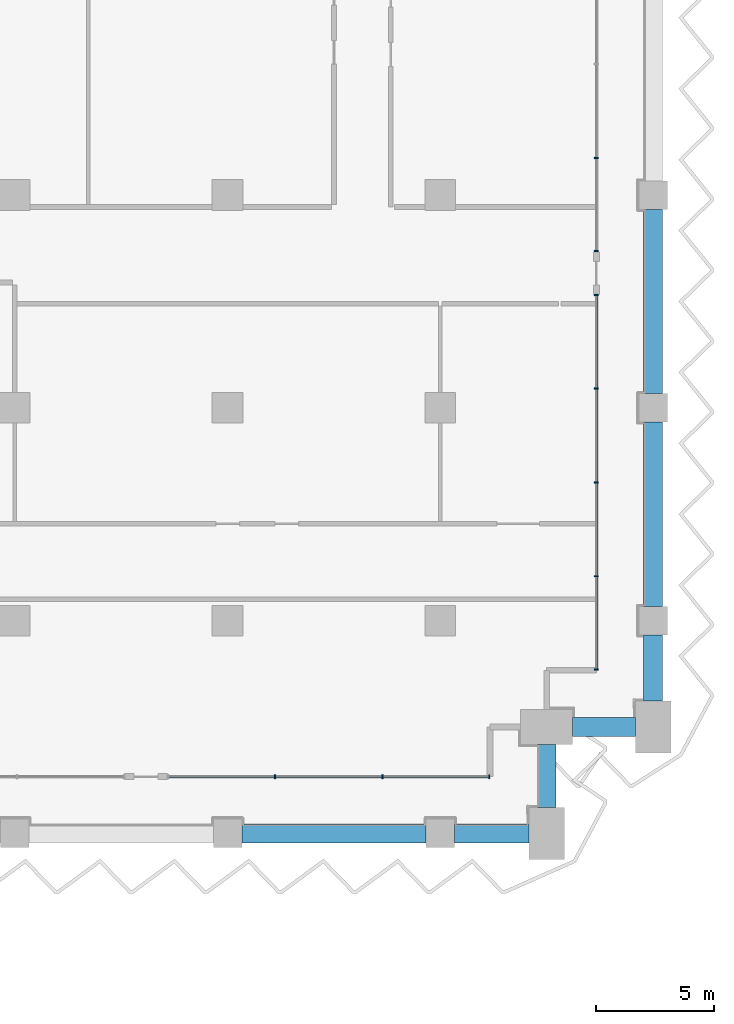
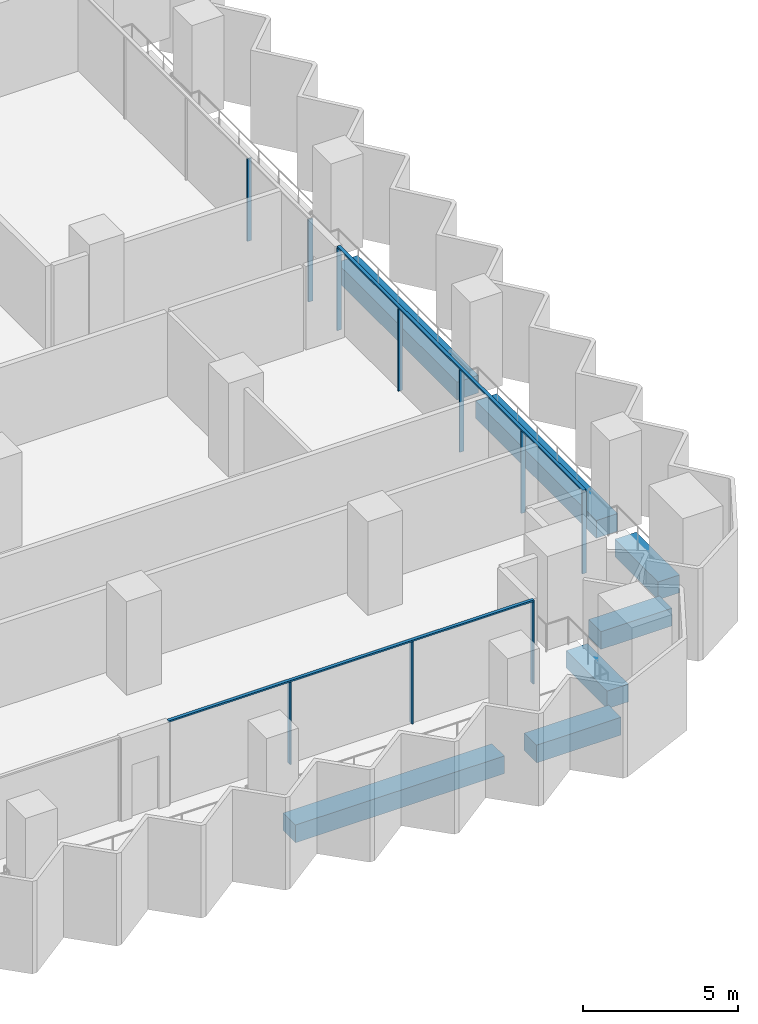
# One storey, part 5 of 23: 12 members, 7 beams, 3 elements without a shape of their own.
"""IFC4 building model written with IfcOpenShell, lengths in metres."""

import ifcopenshell
import ifcopenshell.guid

model = None  # the IFC model being written
_history = None  # IfcOwnerHistory: only IFC2X3 demands one
_inside = {}  # id of a spatial element -> (the spatial element, [elements in it])
_under = {}  # id of a project, library or spatial element -> (it, [spatial elements below it])
_declared = {}  # id of a project -> (the project, [libraries it declares])
_typed = {}  # id of a type object -> (the type object, [elements of that type])
_made_of = {}  # id of a material, layer set ... -> (it, [elements and type objects made of it])


def new_model(schema):
    """Start an empty IFC model of exactly this schema.

    Asked for "IFC4X3", IfcOpenShell would pick the latest addendum, in which some entities
    have other attributes; the version numbers below select the first issue.
    IFC2X3 requires an IfcOwnerHistory on every rooted entity: one is made here for all.
    """
    global model, _history
    if schema == "IFC4X3":
        model = ifcopenshell.file(schema_version=(4, 3, 0, 0))
    else:
        model = ifcopenshell.file(schema=schema)
    _inside.clear()
    _under.clear()
    _declared.clear()
    _typed.clear()
    _made_of.clear()
    _history = None
    if model.schema == "IFC2X3":
        org = make("IfcOrganization", Name="unknown")
        user = make(
            "IfcPersonAndOrganization",
            ThePerson=make("IfcPerson", FamilyName="unknown"),
            TheOrganization=org,
        )
        app = make(
            "IfcApplication",
            ApplicationDeveloper=org,
            Version="unknown",
            ApplicationFullName="unknown",
            ApplicationIdentifier="unknown",
        )
        _history = make(
            "IfcOwnerHistory",
            OwningUser=user,
            OwningApplication=app,
            ChangeAction="ADDED",
            CreationDate=0,
        )
    return model


def make(cls, **values):
    """One entity of the class cls with the attributes given. An attribute that is None is left unset."""
    return model.create_entity(
        cls, **{name: value for name, value in values.items() if value is not None}
    )


def rooted(cls, **values):
    """An entity with a GlobalId (a new one), such as an element, a storey or a relation."""
    return make(cls, GlobalId=ifcopenshell.guid.new(), OwnerHistory=_history, **values)


def si_unit(unit_type, name, prefix=None):
    """IfcSIUnit, for example si_unit("LENGTHUNIT", "METRE", prefix="MILLI")."""
    return make("IfcSIUnit", UnitType=unit_type, Prefix=prefix, Name=name)


def assignment(units):
    """IfcUnitAssignment: the units of a project."""
    return None if units is None else make("IfcUnitAssignment", Units=units)


def point(xyz):
    """IfcCartesianPoint."""
    return None if xyz is None else make("IfcCartesianPoint", Coordinates=xyz)


def direction(xyz):
    """IfcDirection."""
    return None if xyz is None else make("IfcDirection", DirectionRatios=xyz)


def frame(location, z_axis=None, x_axis=None):
    """IfcAxis2Placement3D, a coordinate frame: its origin and axes. An axis left out is left unset."""
    return make(
        "IfcAxis2Placement3D",
        Location=point(location),
        Axis=direction(z_axis),
        RefDirection=direction(x_axis),
    )


def frame_2d(location, x_axis=None):
    """IfcAxis2Placement2D, a coordinate frame in the plane: its origin and x axis."""
    return make(
        "IfcAxis2Placement2D", Location=point(location), RefDirection=direction(x_axis)
    )


def origin():
    """The frame at (0, 0, 0) with its axes left unset."""
    return frame((0.0, 0.0, 0.0))


def origin_2d():
    """The frame at (0, 0) in the plane with its x axis left unset."""
    return frame_2d((0.0, 0.0))


def place(relative_to, where):
    """IfcLocalPlacement: puts the frame where relative to a parent placement (None: the world)."""
    return make(
        "IfcLocalPlacement", PlacementRelTo=relative_to, RelativePlacement=where
    )


def context(
    kind, dimensions, precision=None, world=None, true_north=None, identifier=None
):
    """IfcGeometricRepresentationContext, for example the 3D "Model" context."""
    return make(
        "IfcGeometricRepresentationContext",
        ContextIdentifier=identifier,
        ContextType=kind,
        CoordinateSpaceDimension=dimensions,
        Precision=precision,
        WorldCoordinateSystem=world,
        TrueNorth=true_north,
    )


def subcontext(parent, identifier, kind, view, scale=None):
    """IfcGeometricRepresentationSubContext, for example "Body" below "Model"."""
    return make(
        "IfcGeometricRepresentationSubContext",
        ContextIdentifier=identifier,
        ContextType=kind,
        ParentContext=parent,
        TargetScale=scale,
        TargetView=view,
    )


def project(units=None, contexts=None):
    """IfcProject with its units and contexts."""
    return rooted(
        "IfcProject",
        Name="project",
        RepresentationContexts=contexts,
        UnitsInContext=assignment(units),
    )


def spatial(cls, under=None, at=None, **own):
    """A site, building, storey or space (cls), placed at a placement, below another one or the project."""
    s = rooted(cls, ObjectPlacement=at, **own)
    if under is not None:
        _under.setdefault(under.id(), (under, []))[1].append(s)
    return s


def profile(cls, at=None, kind="AREA", **sizes):
    """A parametric profile (cls). Its sizes go by their IFC names, for example OverallWidth=200.0."""
    return make(cls, ProfileType=kind, Position=at, **sizes)


def rectangle(**sizes):
    """IfcRectangleProfileDef."""
    return profile("IfcRectangleProfileDef", **sizes)


def extrude(swept, where, along, depth):
    """IfcExtrudedAreaSolid: the profile swept, set in the frame where, extruded along a direction by depth."""
    return make(
        "IfcExtrudedAreaSolid",
        SweptArea=swept,
        Position=where,
        ExtrudedDirection=direction(along),
        Depth=depth,
    )


def shape(context_of_items, identifier, shape_type, items):
    """IfcShapeRepresentation: the items that make up one representation, for example the "Body"."""
    return make(
        "IfcShapeRepresentation",
        ContextOfItems=context_of_items,
        RepresentationIdentifier=identifier,
        RepresentationType=shape_type,
        Items=items,
    )


def material(Name=None, Category=None):
    """IfcMaterial."""
    return make("IfcMaterial", Name=Name, Category=Category)


def material_profile(
    of_material, cross_section, Name=None, Category=None, Priority=None
):
    """IfcMaterialProfile: a cross section and its material."""
    return make(
        "IfcMaterialProfile",
        Name=Name,
        Material=of_material,
        Profile=cross_section,
        Priority=Priority,
        Category=Category,
    )


def profile_set(profiles, Name=None, composite=None):
    """IfcMaterialProfileSet."""
    return make(
        "IfcMaterialProfileSet",
        Name=Name,
        MaterialProfiles=profiles,
        CompositeProfile=composite,
    )


def made_of(thing, what):
    """Note that an element or type object is made of a material, layer set ...; save() writes the relation."""
    if what is not None:
        _made_of.setdefault(what.id(), (what, []))[1].append(thing)
    return thing


def type_object(cls, material=None, **own):
    """A type object (cls), such as IfcWallType, which elements share."""
    return made_of(rooted(cls, **own), material)


def element(
    cls,
    number,
    at=None,
    inside=None,
    cuts=None,
    type_object=None,
    material=None,
    context=None,
    identifier="Body",
    shape_type=None,
    held_by="IfcProductDefinitionShape",
    body=None,
    shapes=None,
    **own,
):
    """One element of the class cls, such as IfcWall. Its Tag is "e" and its number.

    at: its placement. inside: the storey or other place that contains it. cuts: it is an
    opening in that element (IfcRelVoidsElement). A single representation is given by context,
    identifier, shape_type and body (its items); several are given by shapes. held_by: the class
    of the entity that holds the representations. save() writes the other relations.
    """
    e = rooted(cls, Tag="e%d" % number, ObjectPlacement=at, **own)
    if body is not None:
        shapes = [shape(context, identifier, shape_type, body)]
    if shapes is not None:
        e.Representation = make(held_by, Representations=shapes)
    if inside is not None:
        _inside.setdefault(inside.id(), (inside, []))[1].append(e)
    if cuts is not None:
        rooted(
            "IfcRelVoidsElement", RelatingBuildingElement=cuts, RelatedOpeningElement=e
        )
    if type_object is not None:
        _typed.setdefault(type_object.id(), (type_object, []))[1].append(e)
    return made_of(e, material)


def aggregate(whole, parts):
    """IfcRelAggregates: a whole, such as a stair, and the parts it consists of."""
    return rooted("IfcRelAggregates", RelatingObject=whole, RelatedObjects=parts)


def save(model, path):
    """Write the relations noted so far, then the file.

    IfcRelAggregates (storeys below a building ...), IfcRelContainedInSpatialStructure (elements
    in a storey), IfcRelDefinesByType, IfcRelAssociatesMaterial and IfcRelDeclares: one each for
    every whole, place, type object, material and project.
    """
    for whole, parts in _under.values():
        aggregate(whole, parts)
    for where, things in _inside.values():
        rooted(
            "IfcRelContainedInSpatialStructure",
            RelatedElements=things,
            RelatingStructure=where,
        )
    for kind, things in _typed.values():
        rooted("IfcRelDefinesByType", RelatedObjects=things, RelatingType=kind)
    for what, things in _made_of.values():
        rooted("IfcRelAssociatesMaterial", RelatedObjects=things, RelatingMaterial=what)
    for by, libraries in _declared.values():
        rooted("IfcRelDeclares", RelatingContext=by, RelatedDefinitions=libraries)
    model.write(path)


model = new_model("IFC4")

# Units and contexts
model_context = context("Model", 3, precision=1e-05, world=origin(), true_north=direction((0.0, 1.0)))
body_context = subcontext(model_context, "Body", "Model", "MODEL_VIEW")
ifc_project = project(units=[si_unit("LENGTHUNIT", "METRE"), si_unit("AREAUNIT", "SQUARE_METRE"), si_unit("VOLUMEUNIT", "CUBIC_METRE"), si_unit("PLANEANGLEUNIT", "RADIAN"), si_unit("MASSUNIT", "GRAM", prefix="KILO")], contexts=[model_context])

# Site, building, storey
site_placement = place(None, origin())
site = spatial("IfcSite", under=ifc_project, at=site_placement, CompositionType="ELEMENT")
building_placement = place(site_placement, origin())
building = spatial("IfcBuilding", under=site, at=building_placement, Name="Hunhe Ridgeline Campus", CompositionType="ELEMENT")
storey_placement = place(building_placement, frame((0.0, 0.0, 121.800048828125)))
storey = spatial("IfcBuildingStorey", under=building, at=storey_placement, Name="L30", CompositionType="ELEMENT", Elevation=121.800048828125)

# Curtain wall, members
ifc_material_1 = material(Name="Aluminium 6063", Category="aluminium")
curtain_wall_type = type_object("IfcCurtainWallType", Name="Curtain wall CW-1", PredefinedType="NOTDEFINED", material=ifc_material_1)
curtain_wall_1_placement = place(storey_placement, origin())
curtain_wall_1 = element("IfcCurtainWall", 1, at=curtain_wall_1_placement, inside=storey, type_object=curtain_wall_type, Name="Curtain wall 14", PredefinedType="NOTDEFINED")
ifc_material_profile_1 = material_profile(ifc_material_1, rectangle(XDim=0.159912109375, YDim=0.06005859375, at=origin_2d()))
ifc_profile_set_1 = profile_set([ifc_material_profile_1], Name="Aluminium 6063")
member_type_1 = type_object("IfcMemberType", Name="CW-1 aluminium mullion", PredefinedType="MULLION", material=ifc_profile_set_1)
member_1_placement = place(storey_placement, frame((64.999267578125, 56.40087890625, 0.0), z_axis=(0.0, 0.0, 1.0), x_axis=(-1.4652e-07, 1.0, 0.0)))
member_1 = element("IfcMember", 2, at=member_1_placement, type_object=member_type_1, Name="CW-1 mullion 2", PredefinedType="MULLION", context=body_context, shape_type="SweptSolid", body=[
    extrude(rectangle(XDim=0.159912109375, YDim=0.06005859375, at=origin_2d()), origin(), (0.0, 0.0, 1.0), 3.239990234375),
])
member_2_placement = place(storey_placement, frame((69.549072265625, 56.40087890625, 0.0), z_axis=(0.0, 0.0, 1.0), x_axis=(-1.4652e-07, 1.0, 0.0)))
member_2 = element("IfcMember", 3, at=member_2_placement, type_object=member_type_1, Name="CW-1 mullion 3", PredefinedType="MULLION", context=body_context, shape_type="SweptSolid", body=[
    extrude(rectangle(XDim=0.159912109375, YDim=0.06005859375, at=origin_2d()), origin(), (0.0, 0.0, 1.0), 3.239990234375),
])
member_3_placement = place(storey_placement, frame((74.069091796875, 56.40087890625, 0.0), z_axis=(0.0, 0.0, 1.0), x_axis=(-1.4652e-07, 1.0, 0.0)))
member_3 = element("IfcMember", 4, at=member_3_placement, type_object=member_type_1, Name="CW-1 mullion 4", PredefinedType="MULLION", context=body_context, shape_type="SweptSolid", body=[
    extrude(rectangle(XDim=0.159912109375, YDim=0.06005859375, at=origin_2d()), origin(), (0.0, 0.0, 1.0), 3.239990234375),
])

curtain_wall_2_placement = place(storey_placement, origin())
curtain_wall_2 = element("IfcCurtainWall", 5, at=curtain_wall_2_placement, inside=storey, type_object=curtain_wall_type, Name="Curtain wall 15", PredefinedType="NOTDEFINED")
member_4_placement = place(storey_placement, frame((78.59912109375, 60.930908203125, 0.0), z_axis=(0.0, 0.0, 1.0), x_axis=(-1.0, 0.0, 0.0)))
member_4 = element("IfcMember", 6, at=member_4_placement, type_object=member_type_1, Name="CW-1 mullion 1", PredefinedType="MULLION", context=body_context, shape_type="SweptSolid", body=[
    extrude(rectangle(XDim=0.159912109375, YDim=0.06005859375, at=origin_2d()), origin(), (0.0, 0.0, 1.0), 3.239990234375),
])
member_5_placement = place(storey_placement, frame((78.59912109375, 64.8759765625, 0.0), z_axis=(0.0, 0.0, 1.0), x_axis=(-1.0, 0.0, 0.0)))
member_5 = element("IfcMember", 7, at=member_5_placement, type_object=member_type_1, Name="CW-1 mullion 2", PredefinedType="MULLION", context=body_context, shape_type="SweptSolid", body=[
    extrude(rectangle(XDim=0.159912109375, YDim=0.06005859375, at=origin_2d()), origin(), (0.0, 0.0, 1.0), 3.239990234375),
])
member_6_placement = place(storey_placement, frame((78.59912109375, 68.850830078125, 0.0), z_axis=(0.0, 0.0, 1.0), x_axis=(-1.0, 0.0, 0.0)))
member_6 = element("IfcMember", 8, at=member_6_placement, type_object=member_type_1, Name="CW-1 mullion 3", PredefinedType="MULLION", context=body_context, shape_type="SweptSolid", body=[
    extrude(rectangle(XDim=0.159912109375, YDim=0.06005859375, at=origin_2d()), origin(), (0.0, 0.0, 1.0), 3.239990234375),
])
member_7_placement = place(storey_placement, frame((78.59912109375, 72.82568359375, 0.0), z_axis=(0.0, 0.0, 1.0), x_axis=(-1.0, 0.0, 0.0)))
member_7 = element("IfcMember", 9, at=member_7_placement, type_object=member_type_1, Name="CW-1 mullion 4", PredefinedType="MULLION", context=body_context, shape_type="SweptSolid", body=[
    extrude(rectangle(XDim=0.159912109375, YDim=0.06005859375, at=origin_2d()), origin(), (0.0, 0.0, 1.0), 3.239990234375),
])
member_8_placement = place(storey_placement, frame((78.59912109375, 76.7705078125, 0.0), z_axis=(0.0, 0.0, 1.0), x_axis=(-1.0, 0.0, 0.0)))
member_8 = element("IfcMember", 10, at=member_8_placement, type_object=member_type_1, Name="CW-1 mullion 5", PredefinedType="MULLION", context=body_context, shape_type="SweptSolid", body=[
    extrude(rectangle(XDim=0.159912109375, YDim=0.06005859375, at=origin_2d()), origin(), (0.0, 0.0, 1.0), 3.239990234375),
])

curtain_wall_3_placement = place(storey_placement, origin())
curtain_wall_3 = element("IfcCurtainWall", 11, at=curtain_wall_3_placement, inside=storey, type_object=curtain_wall_type, Name="Curtain wall 16", PredefinedType="NOTDEFINED")
member_9_placement = place(storey_placement, frame((78.59912109375, 78.630615234375, 0.0), z_axis=(0.0, 0.0, 1.0), x_axis=(-1.0, 0.0, 0.0)))
member_9 = element("IfcMember", 12, at=member_9_placement, type_object=member_type_1, Name="CW-1 mullion 1", PredefinedType="MULLION", context=body_context, shape_type="SweptSolid", body=[
    extrude(rectangle(XDim=0.159912109375, YDim=0.06005859375, at=origin_2d()), origin(), (0.0, 0.0, 1.0), 3.239990234375),
])
member_10_placement = place(storey_placement, frame((78.59912109375, 82.575439453125, 0.0), z_axis=(0.0, 0.0, 1.0), x_axis=(-1.0, 0.0, 0.0)))
member_10 = element("IfcMember", 13, at=member_10_placement, type_object=member_type_1, Name="CW-1 mullion 2", PredefinedType="MULLION", context=body_context, shape_type="SweptSolid", body=[
    extrude(rectangle(XDim=0.159912109375, YDim=0.06005859375, at=origin_2d()), origin(), (0.0, 0.0, 1.0), 3.239990234375),
])
aggregate(curtain_wall_3, [member_9, member_10])

# Member
ifc_material_profile_2 = material_profile(ifc_material_1, rectangle(XDim=0.1201171875, YDim=0.06005859375, at=origin_2d()))
ifc_profile_set_2 = profile_set([ifc_material_profile_2], Name="Aluminium 6063")
member_type_2 = type_object("IfcMemberType", Name="CW-1 aluminium transom", PredefinedType="USERDEFINED", material=ifc_profile_set_2)
member_11_placement = place(storey_placement, frame((60.449462890625, 56.40087890625, 3.27001953125), z_axis=(1.0, 0.0, 0.0), x_axis=(0.0, 1.0, 0.0)))
member_11 = element("IfcMember", 14, at=member_11_placement, type_object=member_type_2, Name="CW-1 transom 1", ObjectType="TRANSOM", PredefinedType="USERDEFINED", context=body_context, shape_type="SweptSolid", body=[
    extrude(rectangle(XDim=0.1201171875, YDim=0.06005859375, at=origin_2d()), origin(), (0.0, 0.0, 1.0), 13.649658203125),
])

aggregate(curtain_wall_1, [member_11, member_1, member_2, member_3])

member_12_placement = place(storey_placement, frame((78.59912109375, 60.90087890625, 3.27001953125), z_axis=(0.0, 1.0, 0.0), x_axis=(-1.0, 0.0, 0.0)))
member_12 = element("IfcMember", 15, at=member_12_placement, type_object=member_type_2, Name="CW-1 transom 1", ObjectType="TRANSOM", PredefinedType="USERDEFINED", context=body_context, shape_type="SweptSolid", body=[
    extrude(rectangle(XDim=0.1201171875, YDim=0.06005859375, at=origin_2d()), origin(), (0.0, 0.0, 1.0), 15.899658203125),
])

aggregate(curtain_wall_2, [member_12, member_4, member_5, member_6, member_7, member_8])

# Beams
ifc_material_2 = material(Name="Concrete C60", Category="concrete")
ifc_material_profile_3 = material_profile(ifc_material_2, rectangle(XDim=0.800048828125, YDim=0.699951171875, at=origin_2d()))
ifc_profile_set_3 = profile_set([ifc_material_profile_3], Name="Concrete C60")
beam_type = type_object("IfcBeamType", Name="RC spandrel beam 800x700 Concrete C60", PredefinedType="SPANDREL", material=ifc_profile_set_3)
beam_1_placement = place(storey_placement, frame((63.60009765625, 54.0, -0.60009765625), z_axis=(1.0, 0.0, 0.0), x_axis=(0.0, 1.0, 0.0)))
element("IfcBeam", 16, at=beam_1_placement, inside=storey, type_object=beam_type, Name="Spandrel beam B1-14 L30", PredefinedType="SPANDREL", context=body_context, shape_type="SweptSolid", body=[
    extrude(rectangle(XDim=0.800048828125, YDim=0.699951171875, at=origin_2d()), origin(), (0.0, 0.0, 1.0), 7.7998046875),
])
beam_2_placement = place(storey_placement, frame((72.60009765625, 54.0, -0.60009765625), z_axis=(1.0, 0.0, 0.0), x_axis=(0.0, 1.0, 0.0)))
element("IfcBeam", 17, at=beam_2_placement, inside=storey, type_object=beam_type, Name="Spandrel beam B1-15 L30", PredefinedType="SPANDREL", context=body_context, shape_type="SweptSolid", body=[
    extrude(rectangle(XDim=0.800048828125, YDim=0.699951171875, at=origin_2d()), origin(), (0.0, 0.0, 1.0), 3.14990234375),
])
for number, where, z_axis, x_axis, name in (
    (18, (76.5, 55.10009765625, -0.60009765625), (0.0, 1.0, 0.0), (-1.0, 0.0, 0.0), "Spandrel beam B1-16 L30"),
    (19, (77.60009765625, 58.5, -0.60009765625), (1.0, 0.0, 0.0), (0.0, 1.0, 0.0), "Spandrel beam B1-17 L30"),
):
    element("IfcBeam", number, at=place(storey_placement, frame(where, z_axis=z_axis, x_axis=x_axis)), inside=storey, type_object=beam_type, Name=name, PredefinedType="SPANDREL", context=body_context, shape_type="SweptSolid", body=[
        extrude(rectangle(XDim=0.800048828125, YDim=0.699951171875, at=origin_2d()), origin(), (0.0, 0.0, 1.0), 2.64990234375),
    ])
beam_3_placement = place(storey_placement, frame((81.0, 59.60009765625, -0.60009765625), z_axis=(0.0, 1.0, 0.0), x_axis=(-1.0, 0.0, 0.0)))
element("IfcBeam", 20, at=beam_3_placement, inside=storey, type_object=beam_type, Name="Spandrel beam B1-18 L30", PredefinedType="SPANDREL", context=body_context, shape_type="SweptSolid", body=[
    extrude(rectangle(XDim=0.800048828125, YDim=0.699951171875, at=origin_2d()), origin(), (0.0, 0.0, 1.0), 2.7998046875),
])
for number, where, z_axis, x_axis, name in (
    (21, (81.0, 63.60009765625, -0.60009765625), (0.0, 1.0, 0.0), (-1.0, 0.0, 0.0), "Spandrel beam B1-19 L30"),
    (22, (81.0, 72.60009765625, -0.60009765625), (0.0, 1.0, 0.0), (-1.0, 0.0, 0.0), "Spandrel beam B1-20 L30"),
):
    element("IfcBeam", number, at=place(storey_placement, frame(where, z_axis=z_axis, x_axis=x_axis)), inside=storey, type_object=beam_type, Name=name, PredefinedType="SPANDREL", context=body_context, shape_type="SweptSolid", body=[
        extrude(rectangle(XDim=0.800048828125, YDim=0.699951171875, at=origin_2d()), origin(), (0.0, 0.0, 1.0), 7.7998046875),
    ])

save(model, "model.ifc")
